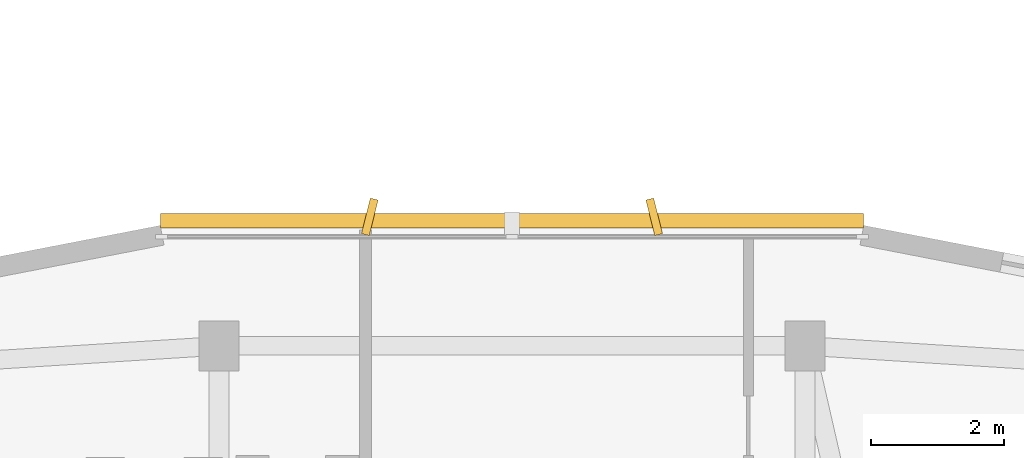
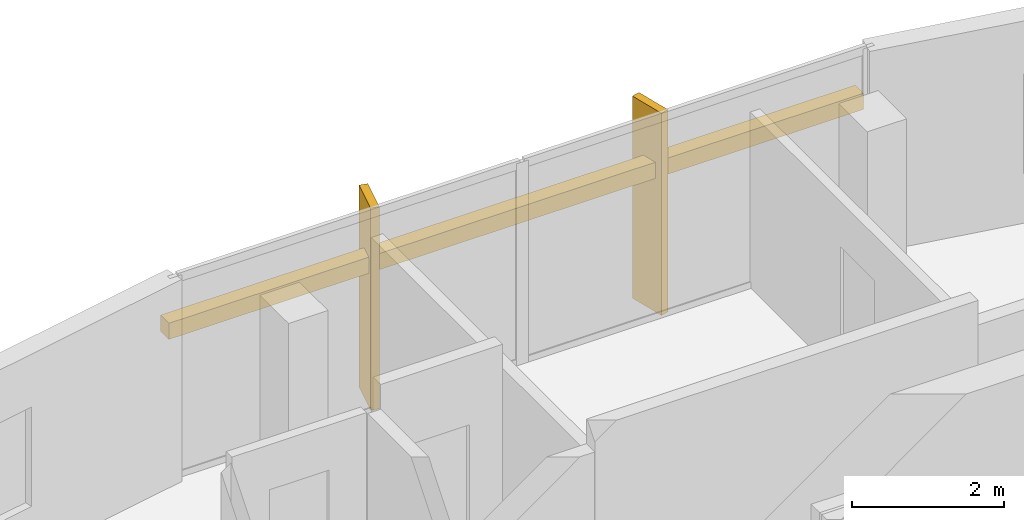
# One storey, part 24 of 24: 3 shading devices.
"""IFC4 building model written with IfcOpenShell, lengths in metres."""

from ifc_helpers import new_model, si_unit, derived_unit, direction, frame, origin, origin_2d, place, context, subcontext, project, spatial, rectangle, extrude, material, type_object, element, save


model = new_model("IFC4")

# Units and contexts
model_context = context("Model", 3, precision=1e-05, world=origin(), true_north=direction((0.0, 1.0)))
body_context = subcontext(model_context, "Body", "Model", "MODEL_VIEW")
ifc_project = project(units=[si_unit("LENGTHUNIT", "METRE"), si_unit("AREAUNIT", "SQUARE_METRE"), si_unit("VOLUMEUNIT", "CUBIC_METRE"), si_unit("PLANEANGLEUNIT", "RADIAN"), si_unit("MASSUNIT", "GRAM", prefix="KILO"), derived_unit("THERMALTRANSMITTANCEUNIT", [(si_unit("POWERUNIT", "WATT"), 1), (si_unit("LENGTHUNIT", "METRE"), -2), (si_unit("THERMODYNAMICTEMPERATUREUNIT", "KELVIN"), -1)])], contexts=[model_context])

# Site, building, storey
site_placement = place(None, origin())
site = spatial("IfcSite", under=ifc_project, at=site_placement, CompositionType="ELEMENT")
building_placement = place(site_placement, origin())
building = spatial("IfcBuilding", under=site, at=building_placement, Name="Kivonza Crest Hotel", CompositionType="ELEMENT")
storey_placement = place(building_placement, frame((0.0, 0.0, 80.0)))
storey = spatial("IfcBuildingStorey", under=building, at=storey_placement, Name="L21", CompositionType="ELEMENT", Elevation=80.0)

# Shading devices
ifc_material_1 = material(Name="Kiln-fired Nairobi red-ochre terracotta", Category="masonry")
shading_device_type_1 = type_object("IfcShadingDeviceType", Name="SH-BAGUETTE-300", PredefinedType="USERDEFINED", material=ifc_material_1)
shading_device_placement = place(storey_placement, frame((77.0, 43.47998046875, 2.14501953125), z_axis=(0.0, 0.0, 1.0), x_axis=(-1.0, 0.0, 0.0)))
element("IfcShadingDevice", 1, at=shading_device_placement, inside=storey, type_object=shading_device_type_1, Name="L21 terracotta baguette screen CW-T2-L21-26", ObjectType="BAGUETTE", PredefinedType="USERDEFINED", context=body_context, shape_type="SweptSolid", body=[
    extrude(rectangle(XDim=10.56005859375, YDim=0.219970703125, at=origin_2d()), origin(), (0.0, 0.0, 1.0), 0.260009765625),
])
ifc_material_2 = material(Name="Kiln-fired terracotta over extruded aluminium spine", Category="masonry")
shading_device_type_2 = type_object("IfcShadingDeviceType", Name="SH-FIN-550", PredefinedType="USERDEFINED", material=ifc_material_2)
for number, where, z_axis, x_axis, name in (
    (2, (79.135986328125, 43.5400390625, 0.0), (0.0, 0.0, 1.0), (-0.970295726276, -0.2419218956, 0.0), "L21 vertical solar shading fin CW-T2-L21-26-1"),
    (3, (74.864013671875, 43.5400390625, 0.0), (0.0, 0.0, 1.0), (-0.970295726276, 0.2419218956, 0.0), "L21 vertical solar shading fin CW-T2-L21-26-2"),
):
    element("IfcShadingDevice", number, at=place(storey_placement, frame(where, z_axis=z_axis, x_axis=x_axis)), inside=storey, type_object=shading_device_type_2, Name=name, ObjectType="FIN", PredefinedType="USERDEFINED", context=body_context, shape_type="SweptSolid", body=[
        extrude(rectangle(XDim=0.1201171875, YDim=0.550048828125, at=origin_2d()), origin(), (0.0, 0.0, 1.0), 3.25),
    ])

save(model, "model.ifc")
